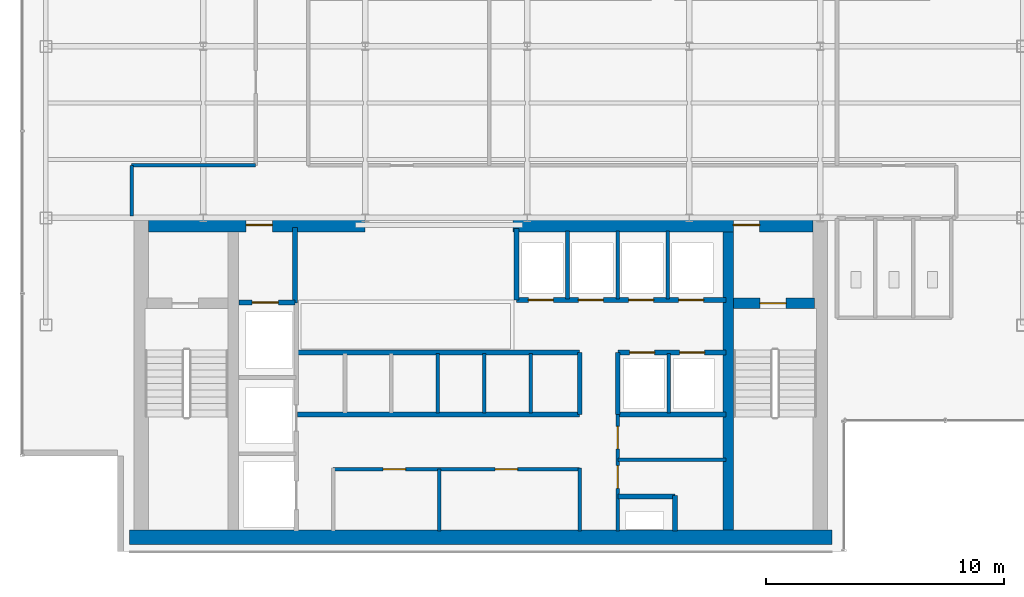
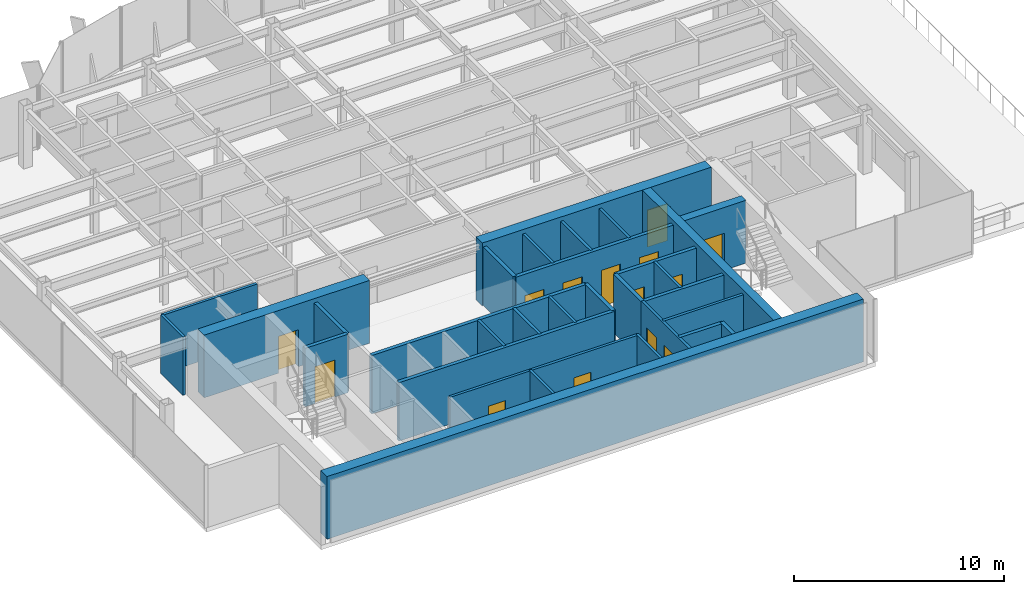
# One storey, part 16 of 21: 31 walls, 14 doors, 14 openings.
"""IFC4 building model written with IfcOpenShell, lengths in metres."""

from ifc_helpers import new_model, si_unit, derived_unit, direction, frame, frame_2d, origin, place, context, subcontext, project, spatial, rectangle, extrude, source, transform, mapped, material, layer, layer_set, type_object, element, fill, save


model = new_model("IFC4")

# Units and contexts
model_context = context("Model", 3, precision=1e-05, world=origin(), true_north=direction((0.0, 1.0)))
body_context = subcontext(model_context, "Body", "Model", "MODEL_VIEW")
ifc_project = project(units=[si_unit("LENGTHUNIT", "METRE"), si_unit("AREAUNIT", "SQUARE_METRE"), si_unit("VOLUMEUNIT", "CUBIC_METRE"), si_unit("PLANEANGLEUNIT", "RADIAN"), si_unit("MASSUNIT", "GRAM", prefix="KILO"), derived_unit("THERMALTRANSMITTANCEUNIT", [(si_unit("POWERUNIT", "WATT"), 1), (si_unit("LENGTHUNIT", "METRE"), -2), (si_unit("THERMODYNAMICTEMPERATUREUNIT", "KELVIN"), -1)])], contexts=[model_context])

# Site, building, storey
site_placement = place(None, origin())
site = spatial("IfcSite", under=ifc_project, at=site_placement, CompositionType="ELEMENT")
building_placement = place(site_placement, origin())
building = spatial("IfcBuilding", under=site, at=building_placement, Name="Skarnbrae Concourse Arena and Tower", CompositionType="ELEMENT")
storey_placement = place(building_placement, frame((0.0, 0.0, 188.60009765625)))
storey = spatial("IfcBuildingStorey", under=building, at=storey_placement, Name="L48", CompositionType="ELEMENT", Elevation=188.60009765625)

# Wall, opening, door
ifc_material_1 = material(Name="Concrete 50 MPa (C50/60)", Category="concrete")
ifc_layer_1 = layer(ifc_material_1, 0.449951171875)
ifc_layer_set_1 = layer_set([ifc_layer_1], Name="Concrete 50 MPa (C50/60)")
wall_type_1 = type_object("IfcWallType", Name="WALL-CORE-450-C50", PredefinedType="SHEAR", material=ifc_layer_set_1)
shared_shape_1 = source(origin(), body_context, "Body", "SweptSolid", [
    extrude(rectangle(XDim=3.389892578125, YDim=0.449951171875, at=frame_2d((1.69482421875, 0.0))), origin(), (0.0, 0.0, 1.0), 3.64990234375),
])
wall_1_placement = place(storey_placement, frame((29.860107421875, 10.419921875, 0.0), z_axis=(0.0, 0.0, 1.0), x_axis=(1.0, 0.0, 0.0)))
wall_1 = element("IfcWall", 1, at=wall_1_placement, inside=storey, type_object=wall_type_1, Name="L48 Rear core shear wall CW-ST2-N", PredefinedType="SHEAR", context=body_context, shape_type="MappedRepresentation", body=[
    mapped(shared_shape_1, transform((0.0, 0.0, 0.0))),
])
opening_1_placement = place(wall_1_placement, frame((1.10009765625, 0.0, 0.0)))
opening_1 = element("IfcOpeningElement", 2, at=opening_1_placement, cuts=wall_1, Name="Opening DT-03", PredefinedType="OPENING", context=body_context, shape_type="SweptSolid", body=[
    extrude(rectangle(XDim=1.10009765625, YDim=2.14990234375, at=frame_2d((0.550048828125, 1.074951171875))), frame((0.0, 0.23486328125, 0.0), z_axis=(0.0, -1.0, 0.0), x_axis=(1.0, 0.0, 0.0)), (0.0, 0.0, 1.0), 0.469970703125),
])
ifc_material_2 = material(Name="Steel CSA G40.21 350W", Category="steel")
door_type_1 = type_object("IfcDoorType", Name="DOOR-FIRE-1100-90M", OperationType="NOTDEFINED", PredefinedType="DOOR", material=ifc_material_2)
shared_shape_2 = source(origin(), body_context, "Body", "SweptSolid", [
    extrude(rectangle(XDim=1.10009765625, YDim=2.14990234375, at=frame_2d((0.550048828125, 1.074951171875))), frame((0.0, 0.02490234375, 0.0), z_axis=(0.0, -1.0, 0.0), x_axis=(1.0, 0.0, 0.0)), (0.0, 0.0, 1.0), 0.050048828125),
])
door_1_placement = place(opening_1_placement, frame((1.10009765625, 0.0, 0.0), z_axis=(0.0, 0.0, 1.0), x_axis=(-1.0, 0.0, 0.0)))
door_1 = element("IfcDoor", 3, at=door_1_placement, inside=storey, type_object=door_type_1, Name="D-1468 Stair ST-2 Door", OperationType="SINGLE_SWING_RIGHT", OverallHeight=2.14990234375, OverallWidth=1.10009765625, PredefinedType="DOOR", context=body_context, shape_type="MappedRepresentation", body=[
    mapped(shared_shape_2, transform((0.0, 0.0, 0.0))),
])
fill(opening_1, door_1)

# Wall
ifc_layer_2 = layer(ifc_material_1, 0.60009765625)
ifc_layer_set_2 = layer_set([ifc_layer_2], Name="Concrete 50 MPa (C50/60)")
wall_type_2 = type_object("IfcWallType", Name="WALL-CORE-600-C50", PredefinedType="SHEAR", material=ifc_layer_set_2)
shared_shape_3 = source(origin(), body_context, "Body", "SweptSolid", [
    extrude(rectangle(XDim=29.5, YDim=0.60009765625, at=frame_2d((14.75, 0.0))), origin(), (0.0, 0.0, 1.0), 3.64990234375),
])
wall_2_placement = place(storey_placement, frame((4.5, 0.60009765625, 0.0), z_axis=(0.0, 0.0, 1.0), x_axis=(1.0, 0.0, 0.0)))
element("IfcWall", 4, at=wall_2_placement, inside=storey, type_object=wall_type_2, Name="L48 Rear core shear wall CW-S", PredefinedType="SHEAR", context=body_context, shape_type="MappedRepresentation", body=[
    mapped(shared_shape_3, transform((0.0, 0.0, 0.0))),
])

# Wall, opening, door
shared_shape_4 = source(origin(), body_context, "Body", "SweptSolid", [
    extrude(rectangle(XDim=9.099853515625, YDim=0.60009765625, at=frame_2d((4.5498046875, 0.0))), origin(), (0.0, 0.0, 1.0), 3.64990234375),
])
wall_3_placement = place(storey_placement, frame((5.300048828125, 13.699951171875, 0.0), z_axis=(0.0, 0.0, 1.0), x_axis=(1.0, 0.0, 0.0)))
wall_3 = element("IfcWall", 5, at=wall_3_placement, inside=storey, type_object=wall_type_2, Name="L48 Rear core shear wall CW-NW", PredefinedType="SHEAR", context=body_context, shape_type="MappedRepresentation", body=[
    mapped(shared_shape_4, transform((0.0, 0.0, 0.0))),
])
opening_2_placement = place(wall_3_placement, frame((4.10009765625, 0.0, 0.0)))
opening_2 = element("IfcOpeningElement", 6, at=opening_2_placement, cuts=wall_3, Name="Opening DT-03", PredefinedType="OPENING", context=body_context, shape_type="SweptSolid", body=[
    extrude(rectangle(XDim=1.10009765625, YDim=2.14990234375, at=frame_2d((0.550048828125, 1.074951171875))), frame((0.0, 0.31005859375, 0.0), z_axis=(0.0, -1.0, 0.0), x_axis=(1.0, 0.0, 0.0)), (0.0, 0.0, 1.0), 0.6201171875),
])
door_2_placement = place(opening_2_placement, origin())
door_2 = element("IfcDoor", 7, at=door_2_placement, inside=storey, type_object=door_type_1, Name="D-1469 Firefighting Lobby Exit Door", OperationType="SINGLE_SWING_RIGHT", OverallHeight=2.14990234375, OverallWidth=1.10009765625, PredefinedType="DOOR", context=body_context, shape_type="MappedRepresentation", body=[
    mapped(shared_shape_2, transform((0.0, 0.0, 0.0))),
])
fill(opening_2, door_2)

shared_shape_5 = source(origin(), body_context, "Body", "SweptSolid", [
    extrude(rectangle(XDim=12.599853515625, YDim=0.60009765625, at=frame_2d((6.2998046875, 0.0))), origin(), (0.0, 0.0, 1.0), 3.64990234375),
])
wall_4_placement = place(storey_placement, frame((20.60009765625, 13.699951171875, 0.0), z_axis=(0.0, 0.0, 1.0), x_axis=(1.0, 0.0, 0.0)))
wall_4 = element("IfcWall", 8, at=wall_4_placement, inside=storey, type_object=wall_type_2, Name="L48 Rear core shear wall CW-NE", PredefinedType="SHEAR", context=body_context, shape_type="MappedRepresentation", body=[
    mapped(shared_shape_5, transform((0.0, 0.0, 0.0))),
])
opening_3_placement = place(wall_4_placement, frame((9.25, 0.0, 0.0)))
opening_3 = element("IfcOpeningElement", 9, at=opening_3_placement, cuts=wall_4, Name="Opening DT-03", PredefinedType="OPENING", context=body_context, shape_type="SweptSolid", body=[
    extrude(rectangle(XDim=1.10009765625, YDim=2.14990234375, at=frame_2d((0.550048828125, 1.074951171875))), frame((0.0, 0.31005859375, 0.0), z_axis=(0.0, -1.0, 0.0), x_axis=(1.0, 0.0, 0.0)), (0.0, 0.0, 1.0), 0.6201171875),
])
door_3_placement = place(opening_3_placement, origin())
door_3 = element("IfcDoor", 10, at=door_3_placement, inside=storey, type_object=door_type_1, Name="D-1470 Stair ST-2 Vestibule Door", OperationType="SINGLE_SWING_LEFT", OverallHeight=2.14990234375, OverallWidth=1.10009765625, PredefinedType="DOOR", context=body_context, shape_type="MappedRepresentation", body=[
    mapped(shared_shape_2, transform((0.0, 0.0, 0.0))),
])
fill(opening_3, door_3)

# Walls
shared_shape_6 = source(origin(), body_context, "Body", "SweptSolid", [
    extrude(rectangle(XDim=12.5, YDim=0.449951171875, at=frame_2d((6.25, 0.0))), origin(), (0.0, 0.0, 1.0), 3.64990234375),
])
wall_5_placement = place(storey_placement, frame((29.635009765625, 0.89990234375, 0.0), z_axis=(0.0, 0.0, 1.0), x_axis=(0.0, 1.0, 0.0)))
element("IfcWall", 11, at=wall_5_placement, inside=storey, type_object=wall_type_1, Name="L48 Rear core shear wall CW-WEB-E", PredefinedType="SHEAR", context=body_context, shape_type="MappedRepresentation", body=[
    mapped(shared_shape_6, transform((0.0, 0.0, 0.0))),
])
ifc_material_3 = material(Name="Gypsum board on cold-formed steel studs", Category="steel")
ifc_layer_3 = layer(ifc_material_3, 0.199951171875)
ifc_layer_set_3 = layer_set([ifc_layer_3], Name="Gypsum board on cold-formed steel studs")
wall_type_3 = type_object("IfcWallType", Name="WALL-PART-200-2HR", PredefinedType="PARTITIONING", material=ifc_layer_set_3)
shared_shape_7 = source(origin(), body_context, "Body", "SweptSolid", [
    extrude(rectangle(XDim=3.18017578125, YDim=0.199951171875, at=frame_2d((1.590087890625, 0.0))), origin(), (0.0, 0.0, 1.0), 3.39990234375),
])
wall_6_placement = place(storey_placement, frame((11.449951171875, 10.419921875, 0.0), z_axis=(0.0, 0.0, 1.0), x_axis=(0.0, 1.0, 0.0)))
element("IfcWall", 12, at=wall_6_placement, inside=storey, type_object=wall_type_3, Name="L48 Interior partition wall W-L48-FFL-E", PredefinedType="PARTITIONING", context=body_context, shape_type="MappedRepresentation", body=[
    mapped(shared_shape_7, transform((0.0, 0.0, 0.0))),
])

# Wall, opening, door
shared_shape_8 = source(origin(), body_context, "Body", "SweptSolid", [
    extrude(rectangle(XDim=2.349853515625, YDim=0.199951171875, at=frame_2d((1.1748046875, 0.0))), origin(), (0.0, 0.0, 1.0), 3.39990234375),
])
wall_7_placement = place(storey_placement, frame((9.10009765625, 10.449951171875, 0.0), z_axis=(0.0, 0.0, 1.0), x_axis=(1.0, 0.0, 0.0)))
wall_7 = element("IfcWall", 13, at=wall_7_placement, inside=storey, type_object=wall_type_3, Name="L48 Interior partition wall W-L48-FL1-N", PredefinedType="PARTITIONING", context=body_context, shape_type="MappedRepresentation", body=[
    mapped(shared_shape_8, transform((0.0, 0.0, 0.0))),
])
opening_4_placement = place(wall_7_placement, frame((0.550048828125, 0.0, 0.0)))
opening_4 = element("IfcOpeningElement", 14, at=opening_4_placement, cuts=wall_7, Name="Opening LD-01", PredefinedType="OPENING", context=body_context, shape_type="SweptSolid", body=[
    extrude(rectangle(XDim=1.10009765625, YDim=2.14990234375, at=frame_2d((0.550048828125, 1.074951171875))), frame((0.0, 0.10986328125, 0.0), z_axis=(0.0, -1.0, 0.0), x_axis=(1.0, 0.0, 0.0)), (0.0, 0.0, 1.0), 0.219970703125),
])
door_type_2 = type_object("IfcDoorType", Name="DOOR-LIFT-SLIDE-1100", OperationType="SLIDING_TO_LEFT", PredefinedType="DOOR", material=ifc_material_2)
door_4_placement = place(opening_4_placement, origin())
door_4 = element("IfcDoor", 15, at=door_4_placement, inside=storey, type_object=door_type_2, Name="D-1471 Firefighting Lift Landing Door FL-01", OperationType="SLIDING_TO_LEFT", OverallHeight=2.14990234375, OverallWidth=1.10009765625, PredefinedType="DOOR", context=body_context, shape_type="MappedRepresentation", body=[
    mapped(shared_shape_2, transform((0.0, 0.0, 0.0))),
])
fill(opening_4, door_4)

# Walls
ifc_layer_4 = layer(ifc_material_3, 0.14990234375)
ifc_layer_set_4 = layer_set([ifc_layer_4], Name="Gypsum board on cold-formed steel studs")
wall_type_4 = type_object("IfcWallType", Name="WALL-PART-150", PredefinedType="PARTITIONING", material=ifc_layer_set_4)
shared_shape_9 = source(origin(), body_context, "Body", "SweptSolid", [
    extrude(rectangle(XDim=2.599853515625, YDim=0.14990234375, at=frame_2d((1.2998046875, 0.0))), origin(), (0.0, 0.0, 1.0), 3.39990234375),
])
wall_8_placement = place(storey_placement, frame((17.5, 0.85009765625, 0.0), z_axis=(0.0, 0.0, 1.0), x_axis=(0.0, 1.0, 0.0)))
element("IfcWall", 16, at=wall_8_placement, inside=storey, type_object=wall_type_4, Name="L48 Interior partition wall W-L48-B1M-C1", PredefinedType="PARTITIONING", context=body_context, shape_type="MappedRepresentation", body=[
    mapped(shared_shape_9, transform((0.0, 0.0, 0.0))),
])
shared_shape_10 = source(origin(), body_context, "Body", "SweptSolid", [
    extrude(rectangle(XDim=11.849853515625, YDim=0.199951171875, at=frame_2d((5.9248046875, 0.0))), origin(), (0.0, 0.0, 1.0), 3.39990234375),
])
for number, where, z_axis, x_axis, name in (
    (17, (11.550048828125, 5.75, 0.0), (0.0, 0.0, 1.0), (1.0, 0.0, 0.0), "L48 Interior partition wall W-L48-B2-S"),
    (18, (11.550048828125, 8.35009765625, 0.0), (0.0, 0.0, 1.0), (1.0, 0.0, 0.0), "L48 Interior partition wall W-L48-B2-N"),
):
    element("IfcWall", number, at=place(storey_placement, frame(where, z_axis=z_axis, x_axis=x_axis)), inside=storey, type_object=wall_type_3, Name=name, PredefinedType="PARTITIONING", context=body_context, shape_type="MappedRepresentation", body=[
        mapped(shared_shape_10, transform((0.0, 0.0, 0.0))),
    ])
shared_shape_11 = source(origin(), body_context, "Body", "SweptSolid", [
    extrude(rectangle(XDim=2.60009765625, YDim=0.199951171875, at=frame_2d((1.300048828125, 0.0))), origin(), (0.0, 0.0, 1.0), 3.39990234375),
])
for number, where, z_axis, x_axis, name in (
    (19, (23.39990234375, 5.75, 0.0), (0.0, 0.0, 1.0), (0.0, 1.0, 0.0), "L48 Interior partition wall W-L48-B2-E"),
    (20, (25.0, 5.75, 0.0), (0.0, 0.0, 1.0), (0.0, 1.0, 0.0), "L48 Interior partition wall W-L48-B3S-W"),
):
    element("IfcWall", number, at=place(storey_placement, frame(where, z_axis=z_axis, x_axis=x_axis)), inside=storey, type_object=wall_type_3, Name=name, PredefinedType="PARTITIONING", context=body_context, shape_type="MappedRepresentation", body=[
        mapped(shared_shape_11, transform((0.0, 0.0, 0.0))),
    ])
shared_shape_12 = source(origin(), body_context, "Body", "SweptSolid", [
    extrude(rectangle(XDim=2.5, YDim=0.14990234375, at=frame_2d((1.25, 0.0))), origin(), (0.0, 0.0, 1.0), 3.39990234375),
])
for number, where, z_axis, x_axis, name in (
    (21, (17.449951171875, 5.800048828125, 0.0), (0.0, 0.0, 1.0), (0.0, 1.0, 0.0), "L48 Interior partition wall W-L48-B2-P3"),
    (22, (19.39990234375, 5.800048828125, 0.0), (0.0, 0.0, 1.0), (0.0, 1.0, 0.0), "L48 Interior partition wall W-L48-B2-P4"),
    (23, (21.35009765625, 5.800048828125, 0.0), (0.0, 0.0, 1.0), (0.0, 1.0, 0.0), "L48 Interior partition wall W-L48-B2-P5"),
    (24, (27.139892578125, 5.800048828125, 0.0), (0.0, 0.0, 1.0), (0.0, 1.0, 0.0), "L48 Interior partition wall W-L48-B3S-P1"),
):
    element("IfcWall", number, at=place(storey_placement, frame(where, z_axis=z_axis, x_axis=x_axis)), inside=storey, type_object=wall_type_4, Name=name, PredefinedType="PARTITIONING", context=body_context, shape_type="MappedRepresentation", body=[
        mapped(shared_shape_12, transform((0.0, 0.0, 0.0))),
    ])

# Wall, openings, doors
shared_shape_13 = source(origin(), body_context, "Body", "SweptSolid", [
    extrude(rectangle(XDim=8.800048828125, YDim=0.199951171875, at=frame_2d((4.39990234375, 0.0))), origin(), (0.0, 0.0, 1.0), 3.39990234375),
])
wall_9_placement = place(storey_placement, frame((20.75, 10.550048828125, 0.0), z_axis=(0.0, 0.0, 1.0), x_axis=(1.0, 0.0, 0.0)))
wall_9 = element("IfcWall", 25, at=wall_9_placement, inside=storey, type_object=wall_type_3, Name="L48 Interior partition wall W-L48-B3N-S", PredefinedType="PARTITIONING", context=body_context, shape_type="MappedRepresentation", body=[
    mapped(shared_shape_13, transform((0.0, 0.0, 0.0))),
])
opening_5_placement = place(wall_9_placement, frame((0.5, 0.0, 0.0)))
opening_5 = element("IfcOpeningElement", 26, at=opening_5_placement, cuts=wall_9, Name="Opening LD-04", PredefinedType="OPENING", context=body_context, shape_type="SweptSolid", body=[
    extrude(rectangle(XDim=1.050048828125, YDim=2.14990234375, at=frame_2d((0.52490234375, 1.074951171875))), frame((0.0, 0.10986328125, 0.0), z_axis=(0.0, -1.0, 0.0), x_axis=(1.0, 0.0, 0.0)), (0.0, 0.0, 1.0), 0.219970703125),
])
opening_6_placement = place(wall_9_placement, frame((2.60009765625, 0.0, 0.0)))
opening_6 = element("IfcOpeningElement", 27, at=opening_6_placement, cuts=wall_9, Name="Opening LD-04", PredefinedType="OPENING", context=body_context, shape_type="SweptSolid", body=[
    extrude(rectangle(XDim=1.050048828125, YDim=2.14990234375, at=frame_2d((0.52490234375, 1.074951171875))), frame((0.0, 0.10986328125, 0.0), z_axis=(0.0, -1.0, 0.0), x_axis=(1.0, 0.0, 0.0)), (0.0, 0.0, 1.0), 0.219970703125),
])
opening_7_placement = place(wall_9_placement, frame((4.699951171875, 0.0, 0.0)))
opening_7 = element("IfcOpeningElement", 28, at=opening_7_placement, cuts=wall_9, Name="Opening LD-04", PredefinedType="OPENING", context=body_context, shape_type="SweptSolid", body=[
    extrude(rectangle(XDim=1.050048828125, YDim=2.14990234375, at=frame_2d((0.52490234375, 1.074951171875))), frame((0.0, 0.10986328125, 0.0), z_axis=(0.0, -1.0, 0.0), x_axis=(1.0, 0.0, 0.0)), (0.0, 0.0, 1.0), 0.219970703125),
])
opening_8_placement = place(wall_9_placement, frame((6.800048828125, 0.0, 0.0)))
opening_8 = element("IfcOpeningElement", 29, at=opening_8_placement, cuts=wall_9, Name="Opening LD-04", PredefinedType="OPENING", context=body_context, shape_type="SweptSolid", body=[
    extrude(rectangle(XDim=1.050048828125, YDim=2.14990234375, at=frame_2d((0.52490234375, 1.074951171875))), frame((0.0, 0.10986328125, 0.0), z_axis=(0.0, -1.0, 0.0), x_axis=(1.0, 0.0, 0.0)), (0.0, 0.0, 1.0), 0.219970703125),
])
ifc_material_4 = material(Name="Bronze anodised aluminium 6063-T6", Category="aluminium")
door_type_3 = type_object("IfcDoorType", Name="DOOR-LIFT-SLIDE-1050H", OperationType="SLIDING_TO_LEFT", PredefinedType="DOOR", material=ifc_material_4)
shared_shape_14 = source(origin(), body_context, "Body", "SweptSolid", [
    extrude(rectangle(XDim=1.050048828125, YDim=2.14990234375, at=frame_2d((0.52490234375, 1.074951171875))), frame((0.0, 0.02490234375, 0.0), z_axis=(0.0, -1.0, 0.0), x_axis=(1.0, 0.0, 0.0)), (0.0, 0.0, 1.0), 0.050048828125),
])
door_5_placement = place(opening_5_placement, frame((1.050048828125, 0.0, 0.0), z_axis=(0.0, 0.0, 1.0), x_axis=(-1.0, 0.0, 0.0)))
door_5 = element("IfcDoor", 30, at=door_5_placement, inside=storey, type_object=door_type_3, Name="D-1476 Passenger Lift Landing Door PL-3A", OperationType="SLIDING_TO_LEFT", OverallHeight=2.14990234375, OverallWidth=1.050048828125, PredefinedType="DOOR", context=body_context, shape_type="MappedRepresentation", body=[
    mapped(shared_shape_14, transform((0.0, 0.0, 0.0))),
])
fill(opening_5, door_5)
door_6_placement = place(opening_6_placement, frame((1.050048828125, 0.0, 0.0), z_axis=(0.0, 0.0, 1.0), x_axis=(-1.0, 0.0, 0.0)))
door_6 = element("IfcDoor", 31, at=door_6_placement, inside=storey, type_object=door_type_3, Name="D-1477 Passenger Lift Landing Door PL-3B", OperationType="SLIDING_TO_LEFT", OverallHeight=2.14990234375, OverallWidth=1.050048828125, PredefinedType="DOOR", context=body_context, shape_type="MappedRepresentation", body=[
    mapped(shared_shape_14, transform((0.0, 0.0, 0.0))),
])
fill(opening_6, door_6)
door_7_placement = place(opening_7_placement, frame((1.050048828125, 0.0, 0.0), z_axis=(0.0, 0.0, 1.0), x_axis=(-1.0, 0.0, 0.0)))
door_7 = element("IfcDoor", 32, at=door_7_placement, inside=storey, type_object=door_type_3, Name="D-1478 Passenger Lift Landing Door PL-3C", OperationType="SLIDING_TO_LEFT", OverallHeight=2.14990234375, OverallWidth=1.050048828125, PredefinedType="DOOR", context=body_context, shape_type="MappedRepresentation", body=[
    mapped(shared_shape_14, transform((0.0, 0.0, 0.0))),
])
fill(opening_7, door_7)
door_8_placement = place(opening_8_placement, frame((1.050048828125, 0.0, 0.0), z_axis=(0.0, 0.0, 1.0), x_axis=(-1.0, 0.0, 0.0)))
door_8 = element("IfcDoor", 33, at=door_8_placement, inside=storey, type_object=door_type_3, Name="D-1479 Passenger Lift Landing Door PL-3D", OperationType="SLIDING_TO_LEFT", OverallHeight=2.14990234375, OverallWidth=1.050048828125, PredefinedType="DOOR", context=body_context, shape_type="MappedRepresentation", body=[
    mapped(shared_shape_14, transform((0.0, 0.0, 0.0))),
])
fill(opening_8, door_8)

# Walls
shared_shape_15 = source(origin(), body_context, "Body", "SweptSolid", [
    extrude(rectangle(XDim=3.0, YDim=0.199951171875, at=frame_2d((1.5, 0.0))), origin(), (0.0, 0.0, 1.0), 3.39990234375),
])
wall_10_placement = place(storey_placement, frame((20.75, 10.550048828125, 0.0), z_axis=(0.0, 0.0, 1.0), x_axis=(0.0, 1.0, 0.0)))
element("IfcWall", 34, at=wall_10_placement, inside=storey, type_object=wall_type_3, Name="L48 Interior partition wall W-L48-B3N-W", PredefinedType="PARTITIONING", context=body_context, shape_type="MappedRepresentation", body=[
    mapped(shared_shape_15, transform((0.0, 0.0, 0.0))),
])
shared_shape_16 = source(origin(), body_context, "Body", "SweptSolid", [
    extrude(rectangle(XDim=2.849853515625, YDim=0.14990234375, at=frame_2d((1.4248046875, 0.0))), origin(), (0.0, 0.0, 1.0), 3.39990234375),
])
for number, where, z_axis, x_axis, name in (
    (35, (22.889892578125, 10.60009765625, 0.0), (0.0, 0.0, 1.0), (0.0, 1.0, 0.0), "L48 Interior partition wall W-L48-B3N-P1"),
    (36, (24.989990234375, 10.60009765625, 0.0), (0.0, 0.0, 1.0), (0.0, 1.0, 0.0), "L48 Interior partition wall W-L48-B3N-P2"),
    (37, (27.090087890625, 10.60009765625, 0.0), (0.0, 0.0, 1.0), (0.0, 1.0, 0.0), "L48 Interior partition wall W-L48-B3N-P3"),
):
    element("IfcWall", number, at=place(storey_placement, frame(where, z_axis=z_axis, x_axis=x_axis)), inside=storey, type_object=wall_type_4, Name=name, PredefinedType="PARTITIONING", context=body_context, shape_type="MappedRepresentation", body=[
        mapped(shared_shape_16, transform((0.0, 0.0, 0.0))),
    ])

# Wall, openings, doors
shared_shape_17 = source(origin(), body_context, "Body", "SweptSolid", [
    extrude(rectangle(XDim=4.550048828125, YDim=0.199951171875, at=frame_2d((2.27490234375, 0.0))), origin(), (0.0, 0.0, 1.0), 3.39990234375),
])
wall_11_placement = place(storey_placement, frame((25.0, 8.35009765625, 0.0), z_axis=(0.0, 0.0, 1.0), x_axis=(1.0, 0.0, 0.0)))
wall_11 = element("IfcWall", 38, at=wall_11_placement, inside=storey, type_object=wall_type_3, Name="L48 Interior partition wall W-L48-B3S-N", PredefinedType="PARTITIONING", context=body_context, shape_type="MappedRepresentation", body=[
    mapped(shared_shape_17, transform((0.0, 0.0, 0.0))),
])
opening_9_placement = place(wall_11_placement, frame((0.5, 0.0, 0.0)))
opening_9 = element("IfcOpeningElement", 39, at=opening_9_placement, cuts=wall_11, Name="Opening LD-04", PredefinedType="OPENING", context=body_context, shape_type="SweptSolid", body=[
    extrude(rectangle(XDim=1.050048828125, YDim=2.14990234375, at=frame_2d((0.52490234375, 1.074951171875))), frame((0.0, 0.10986328125, 0.0), z_axis=(0.0, -1.0, 0.0), x_axis=(1.0, 0.0, 0.0)), (0.0, 0.0, 1.0), 0.219970703125),
])
opening_10_placement = place(wall_11_placement, frame((2.60009765625, 0.0, 0.0)))
opening_10 = element("IfcOpeningElement", 40, at=opening_10_placement, cuts=wall_11, Name="Opening LD-04", PredefinedType="OPENING", context=body_context, shape_type="SweptSolid", body=[
    extrude(rectangle(XDim=1.050048828125, YDim=2.14990234375, at=frame_2d((0.52490234375, 1.074951171875))), frame((0.0, 0.10986328125, 0.0), z_axis=(0.0, -1.0, 0.0), x_axis=(1.0, 0.0, 0.0)), (0.0, 0.0, 1.0), 0.219970703125),
])
door_9_placement = place(opening_9_placement, origin())
door_9 = element("IfcDoor", 41, at=door_9_placement, inside=storey, type_object=door_type_3, Name="D-1480 Passenger Lift Landing Door PL-3E", OperationType="SLIDING_TO_LEFT", OverallHeight=2.14990234375, OverallWidth=1.050048828125, PredefinedType="DOOR", context=body_context, shape_type="MappedRepresentation", body=[
    mapped(shared_shape_14, transform((0.0, 0.0, 0.0))),
])
fill(opening_9, door_9)
door_10_placement = place(opening_10_placement, origin())
door_10 = element("IfcDoor", 42, at=door_10_placement, inside=storey, type_object=door_type_3, Name="D-1481 Passenger Lift Landing Door PL-3F", OperationType="SLIDING_TO_LEFT", OverallHeight=2.14990234375, OverallWidth=1.050048828125, PredefinedType="DOOR", context=body_context, shape_type="MappedRepresentation", body=[
    mapped(shared_shape_14, transform((0.0, 0.0, 0.0))),
])
fill(opening_10, door_10)

# Wall
wall_12_placement = place(storey_placement, frame((25.0, 5.75, 0.0), z_axis=(0.0, 0.0, 1.0), x_axis=(1.0, 0.0, 0.0)))
element("IfcWall", 43, at=wall_12_placement, inside=storey, type_object=wall_type_3, Name="L48 Interior partition wall W-L48-B3S-S", PredefinedType="PARTITIONING", context=body_context, shape_type="MappedRepresentation", body=[
    mapped(shared_shape_17, transform((0.0, 0.0, 0.0))),
])

# Wall, openings, doors
ifc_layer_5 = layer(ifc_material_3, 0.14990234375)
ifc_layer_set_5 = layer_set([ifc_layer_5], Name="Gypsum board on cold-formed steel studs")
wall_type_5 = type_object("IfcWallType", Name="WALL-PART-150-1HR", PredefinedType="PARTITIONING", material=ifc_layer_set_5)
shared_shape_18 = source(origin(), body_context, "Body", "SweptSolid", [
    extrude(rectangle(XDim=4.89990234375, YDim=0.14990234375, at=frame_2d((2.449951171875, 0.0))), origin(), (0.0, 0.0, 1.0), 3.39990234375),
])
wall_13_placement = place(storey_placement, frame((25.0, 0.85009765625, 0.0), z_axis=(0.0, 0.0, 1.0), x_axis=(0.0, 1.0, 0.0)))
wall_13 = element("IfcWall", 44, at=wall_13_placement, inside=storey, type_object=wall_type_5, Name="L48 Interior partition wall W-L48-CSV-W", PredefinedType="PARTITIONING", context=body_context, shape_type="MappedRepresentation", body=[
    mapped(shared_shape_18, transform((0.0, 0.0, 0.0))),
])
opening_11_placement = place(wall_13_placement, frame((1.800048828125, 0.0, 0.0)))
opening_11 = element("IfcOpeningElement", 45, at=opening_11_placement, cuts=wall_13, Name="Opening DT-04", PredefinedType="OPENING", context=body_context, shape_type="SweptSolid", body=[
    extrude(rectangle(XDim=0.949951171875, YDim=2.14990234375, at=frame_2d((0.47509765625, 1.074951171875))), frame((0.0, 0.0849609375, 0.0), z_axis=(0.0, -1.0, 0.0), x_axis=(1.0, 0.0, 0.0)), (0.0, 0.0, 1.0), 0.169921875),
])
opening_12_placement = place(wall_13_placement, frame((3.449951171875, 0.0, 0.0)))
opening_12 = element("IfcOpeningElement", 46, at=opening_12_placement, cuts=wall_13, Name="Opening DT-04", PredefinedType="OPENING", context=body_context, shape_type="SweptSolid", body=[
    extrude(rectangle(XDim=0.949951171875, YDim=2.14990234375, at=frame_2d((0.47509765625, 1.074951171875))), frame((0.0, 0.0849609375, 0.0), z_axis=(0.0, -1.0, 0.0), x_axis=(1.0, 0.0, 0.0)), (0.0, 0.0, 1.0), 0.169921875),
])
door_type_4 = type_object("IfcDoorType", Name="DOOR-INT-950-45M", OperationType="NOTDEFINED", PredefinedType="DOOR", material=ifc_material_2)
shared_shape_19 = source(origin(), body_context, "Body", "SweptSolid", [
    extrude(rectangle(XDim=0.949951171875, YDim=2.14990234375, at=frame_2d((0.47509765625, 1.074951171875))), frame((0.0, 0.02490234375, 0.0), z_axis=(0.0, -1.0, 0.0), x_axis=(1.0, 0.0, 0.0)), (0.0, 0.0, 1.0), 0.050048828125),
])
door_11_placement = place(opening_11_placement, origin())
door_11 = element("IfcDoor", 47, at=door_11_placement, inside=storey, type_object=door_type_4, Name="D-1482 Electrical Switch Room Door", OperationType="SINGLE_SWING_LEFT", OverallHeight=2.14990234375, OverallWidth=0.949951171875, PredefinedType="DOOR", context=body_context, shape_type="MappedRepresentation", body=[
    mapped(shared_shape_19, transform((0.0, 0.0, 0.0))),
])
fill(opening_11, door_11)
door_12_placement = place(opening_12_placement, origin())
door_12 = element("IfcDoor", 48, at=door_12_placement, inside=storey, type_object=door_type_4, Name="D-1483 Cleaner Store Door", OperationType="SINGLE_SWING_RIGHT", OverallHeight=2.14990234375, OverallWidth=0.949951171875, PredefinedType="DOOR", context=body_context, shape_type="MappedRepresentation", body=[
    mapped(shared_shape_19, transform((0.0, 0.0, 0.0))),
])
fill(opening_12, door_12)

# Walls
shared_shape_20 = source(origin(), body_context, "Body", "SweptSolid", [
    extrude(rectangle(XDim=2.39990234375, YDim=0.199951171875, at=frame_2d((1.199951171875, 0.0))), origin(), (0.0, 0.0, 1.0), 3.39990234375),
])
wall_14_placement = place(storey_placement, frame((25.0, 2.300048828125, 0.0), z_axis=(0.0, 0.0, 1.0), x_axis=(1.0, 0.0, 0.0)))
element("IfcWall", 49, at=wall_14_placement, inside=storey, type_object=wall_type_3, Name="L48 Interior partition wall W-L48-MEP-N", PredefinedType="PARTITIONING", context=body_context, shape_type="MappedRepresentation", body=[
    mapped(shared_shape_20, transform((0.0, 0.0, 0.0))),
])
shared_shape_21 = source(origin(), body_context, "Body", "SweptSolid", [
    extrude(rectangle(XDim=1.5, YDim=0.199951171875, at=frame_2d((0.75, 0.0))), origin(), (0.0, 0.0, 1.0), 3.39990234375),
])
wall_15_placement = place(storey_placement, frame((27.39990234375, 0.85009765625, 0.0), z_axis=(0.0, 0.0, 1.0), x_axis=(0.0, 1.0, 0.0)))
element("IfcWall", 50, at=wall_15_placement, inside=storey, type_object=wall_type_3, Name="L48 Interior partition wall W-L48-MEP-E", PredefinedType="PARTITIONING", context=body_context, shape_type="MappedRepresentation", body=[
    mapped(shared_shape_21, transform((0.0, 0.0, 0.0))),
])
shared_shape_22 = source(origin(), body_context, "Body", "SweptSolid", [
    extrude(rectangle(XDim=4.550048828125, YDim=0.14990234375, at=frame_2d((2.27490234375, 0.0))), origin(), (0.0, 0.0, 1.0), 3.39990234375),
])
wall_16_placement = place(storey_placement, frame((25.0, 3.85009765625, 0.0), z_axis=(0.0, 0.0, 1.0), x_axis=(1.0, 0.0, 0.0)))
element("IfcWall", 51, at=wall_16_placement, inside=storey, type_object=wall_type_4, Name="L48 Interior partition wall W-L48-CSV-H", PredefinedType="PARTITIONING", context=body_context, shape_type="MappedRepresentation", body=[
    mapped(shared_shape_22, transform((0.0, 0.0, 0.0))),
])
shared_shape_23 = source(origin(), body_context, "Body", "SweptSolid", [
    extrude(rectangle(XDim=2.64990234375, YDim=0.14990234375, at=frame_2d((1.324951171875, 0.0))), origin(), (0.0, 0.0, 1.0), 3.39990234375),
])
wall_17_placement = place(storey_placement, frame((23.39990234375, 0.85009765625, 0.0), z_axis=(0.0, 0.0, 1.0), x_axis=(0.0, 1.0, 0.0)))
element("IfcWall", 52, at=wall_17_placement, inside=storey, type_object=wall_type_5, Name="L48 Interior partition wall W-L48-B1M-E", PredefinedType="PARTITIONING", context=body_context, shape_type="MappedRepresentation", body=[
    mapped(shared_shape_23, transform((0.0, 0.0, 0.0))),
])

# Wall, openings, doors
shared_shape_24 = source(origin(), body_context, "Body", "SweptSolid", [
    extrude(rectangle(XDim=10.349853515625, YDim=0.14990234375, at=frame_2d((5.1748046875, 0.0))), origin(), (0.0, 0.0, 1.0), 3.39990234375),
])
wall_18_placement = place(storey_placement, frame((13.050048828125, 3.449951171875, 0.0), z_axis=(0.0, 0.0, 1.0), x_axis=(1.0, 0.0, 0.0)))
wall_18 = element("IfcWall", 53, at=wall_18_placement, inside=storey, type_object=wall_type_5, Name="L48 Interior partition wall W-L48-B1M-N", PredefinedType="PARTITIONING", context=body_context, shape_type="MappedRepresentation", body=[
    mapped(shared_shape_24, transform((0.0, 0.0, 0.0))),
])
opening_13_placement = place(wall_18_placement, frame((2.10009765625, 0.0, 0.0)))
opening_13 = element("IfcOpeningElement", 54, at=opening_13_placement, cuts=wall_18, Name="Opening DT-04", PredefinedType="OPENING", context=body_context, shape_type="SweptSolid", body=[
    extrude(rectangle(XDim=0.949951171875, YDim=2.14990234375, at=frame_2d((0.47509765625, 1.074951171875))), frame((0.0, 0.0849609375, 0.0), z_axis=(0.0, -1.0, 0.0), x_axis=(1.0, 0.0, 0.0)), (0.0, 0.0, 1.0), 0.169921875),
])
opening_14_placement = place(wall_18_placement, frame((6.800048828125, 0.0, 0.0)))
opening_14 = element("IfcOpeningElement", 55, at=opening_14_placement, cuts=wall_18, Name="Opening DT-04", PredefinedType="OPENING", context=body_context, shape_type="SweptSolid", body=[
    extrude(rectangle(XDim=0.949951171875, YDim=2.14990234375, at=frame_2d((0.47509765625, 1.074951171875))), frame((0.0, 0.0849609375, 0.0), z_axis=(0.0, -1.0, 0.0), x_axis=(1.0, 0.0, 0.0)), (0.0, 0.0, 1.0), 0.169921875),
])
door_13_placement = place(opening_13_placement, origin())
door_13 = element("IfcDoor", 56, at=door_13_placement, inside=storey, type_object=door_type_4, Name="D-1474 Core IT Room Door", OperationType="SINGLE_SWING_LEFT", OverallHeight=2.14990234375, OverallWidth=0.949951171875, PredefinedType="DOOR", context=body_context, shape_type="MappedRepresentation", body=[
    mapped(shared_shape_19, transform((0.0, 0.0, 0.0))),
])
fill(opening_13, door_13)
door_14_placement = place(opening_14_placement, origin())
door_14 = element("IfcDoor", 57, at=door_14_placement, inside=storey, type_object=door_type_4, Name="D-1475 Core Records Store Door", OperationType="SINGLE_SWING_RIGHT", OverallHeight=2.14990234375, OverallWidth=0.949951171875, PredefinedType="DOOR", context=body_context, shape_type="MappedRepresentation", body=[
    mapped(shared_shape_19, transform((0.0, 0.0, 0.0))),
])
fill(opening_14, door_14)

# Walls
shared_shape_25 = source(origin(), body_context, "Body", "SweptSolid", [
    extrude(rectangle(XDim=5.199951171875, YDim=0.14990234375, at=frame_2d((2.60009765625, 0.0))), origin(), (0.0, 0.0, 1.0), 3.39990234375),
])
wall_19_placement = place(storey_placement, frame((4.60009765625, 16.199951171875, 0.0), z_axis=(0.0, 0.0, 1.0), x_axis=(1.0, 0.0, 0.0)))
element("IfcWall", 58, at=wall_19_placement, inside=storey, type_object=wall_type_5, Name="L48 Interior partition wall W-L48-COR-02", PredefinedType="PARTITIONING", context=body_context, shape_type="MappedRepresentation", body=[
    mapped(shared_shape_25, transform((0.0, 0.0, 0.0))),
])
shared_shape_26 = source(origin(), body_context, "Body", "SweptSolid", [
    extrude(rectangle(XDim=2.119873046875, YDim=0.14990234375, at=frame_2d((1.06005859375, 0.0))), origin(), (0.0, 0.0, 1.0), 3.39990234375),
])
wall_20_placement = place(storey_placement, frame((4.60009765625, 14.080078125, 0.0), z_axis=(0.0, 0.0, 1.0), x_axis=(0.0, 1.0, 0.0)))
element("IfcWall", 59, at=wall_20_placement, inside=storey, type_object=wall_type_5, Name="L48 Interior partition wall W-L48-COR-01", PredefinedType="PARTITIONING", context=body_context, shape_type="MappedRepresentation", body=[
    mapped(shared_shape_26, transform((0.0, 0.0, 0.0))),
])

save(model, "model.ifc")
